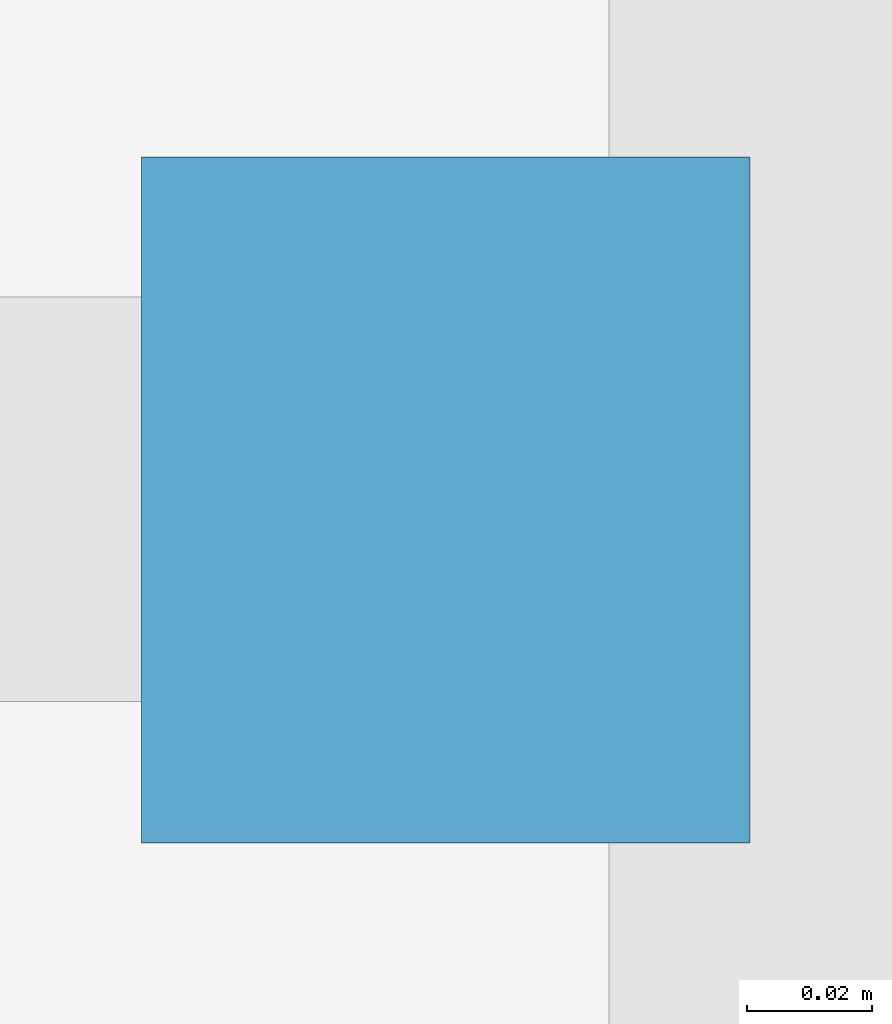
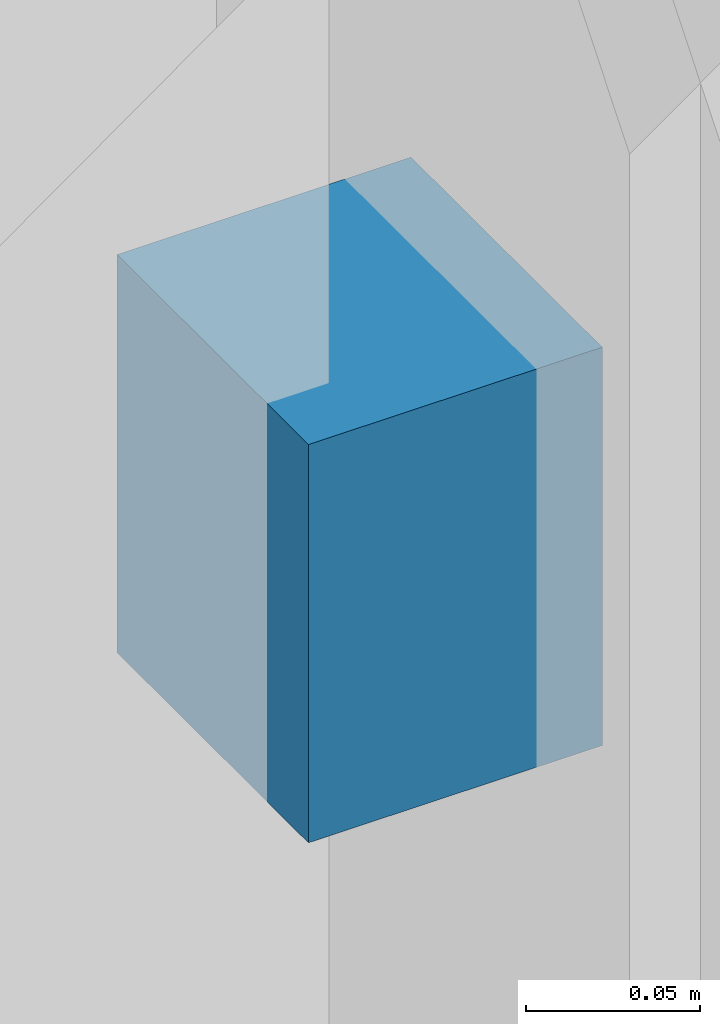
# One storey, part 11 of 21: 1 discrete accessory.
"""IFC4 building model written with IfcOpenShell, lengths in metres."""

import ifcopenshell
import ifcopenshell.guid

model = None  # the IFC model being written
_history = None  # IfcOwnerHistory: only IFC2X3 demands one
_inside = {}  # id of a spatial element -> (the spatial element, [elements in it])
_under = {}  # id of a project, library or spatial element -> (it, [spatial elements below it])
_declared = {}  # id of a project -> (the project, [libraries it declares])
_typed = {}  # id of a type object -> (the type object, [elements of that type])
_made_of = {}  # id of a material, layer set ... -> (it, [elements and type objects made of it])


def new_model(schema):
    """Start an empty IFC model of exactly this schema.

    Asked for "IFC4X3", IfcOpenShell would pick the latest addendum, in which some entities
    have other attributes; the version numbers below select the first issue.
    IFC2X3 requires an IfcOwnerHistory on every rooted entity: one is made here for all.
    """
    global model, _history
    if schema == "IFC4X3":
        model = ifcopenshell.file(schema_version=(4, 3, 0, 0))
    else:
        model = ifcopenshell.file(schema=schema)
    _inside.clear()
    _under.clear()
    _declared.clear()
    _typed.clear()
    _made_of.clear()
    _history = None
    if model.schema == "IFC2X3":
        org = make("IfcOrganization", Name="unknown")
        user = make(
            "IfcPersonAndOrganization",
            ThePerson=make("IfcPerson", FamilyName="unknown"),
            TheOrganization=org,
        )
        app = make(
            "IfcApplication",
            ApplicationDeveloper=org,
            Version="unknown",
            ApplicationFullName="unknown",
            ApplicationIdentifier="unknown",
        )
        _history = make(
            "IfcOwnerHistory",
            OwningUser=user,
            OwningApplication=app,
            ChangeAction="ADDED",
            CreationDate=0,
        )
    return model


def make(cls, **values):
    """One entity of the class cls with the attributes given. An attribute that is None is left unset."""
    return model.create_entity(
        cls, **{name: value for name, value in values.items() if value is not None}
    )


def rooted(cls, **values):
    """An entity with a GlobalId (a new one), such as an element, a storey or a relation."""
    return make(cls, GlobalId=ifcopenshell.guid.new(), OwnerHistory=_history, **values)


def si_unit(unit_type, name, prefix=None):
    """IfcSIUnit, for example si_unit("LENGTHUNIT", "METRE", prefix="MILLI")."""
    return make("IfcSIUnit", UnitType=unit_type, Prefix=prefix, Name=name)


def assignment(units):
    """IfcUnitAssignment: the units of a project."""
    return None if units is None else make("IfcUnitAssignment", Units=units)


def point(xyz):
    """IfcCartesianPoint."""
    return None if xyz is None else make("IfcCartesianPoint", Coordinates=xyz)


def direction(xyz):
    """IfcDirection."""
    return None if xyz is None else make("IfcDirection", DirectionRatios=xyz)


def frame(location, z_axis=None, x_axis=None):
    """IfcAxis2Placement3D, a coordinate frame: its origin and axes. An axis left out is left unset."""
    return make(
        "IfcAxis2Placement3D",
        Location=point(location),
        Axis=direction(z_axis),
        RefDirection=direction(x_axis),
    )


def origin():
    """The frame at (0, 0, 0) with its axes left unset."""
    return frame((0.0, 0.0, 0.0))


def place(relative_to, where):
    """IfcLocalPlacement: puts the frame where relative to a parent placement (None: the world)."""
    return make(
        "IfcLocalPlacement", PlacementRelTo=relative_to, RelativePlacement=where
    )


def context(
    kind, dimensions, precision=None, world=None, true_north=None, identifier=None
):
    """IfcGeometricRepresentationContext, for example the 3D "Model" context."""
    return make(
        "IfcGeometricRepresentationContext",
        ContextIdentifier=identifier,
        ContextType=kind,
        CoordinateSpaceDimension=dimensions,
        Precision=precision,
        WorldCoordinateSystem=world,
        TrueNorth=true_north,
    )


def subcontext(parent, identifier, kind, view, scale=None):
    """IfcGeometricRepresentationSubContext, for example "Body" below "Model"."""
    return make(
        "IfcGeometricRepresentationSubContext",
        ContextIdentifier=identifier,
        ContextType=kind,
        ParentContext=parent,
        TargetScale=scale,
        TargetView=view,
    )


def project(units=None, contexts=None):
    """IfcProject with its units and contexts."""
    return rooted(
        "IfcProject",
        Name="project",
        RepresentationContexts=contexts,
        UnitsInContext=assignment(units),
    )


def spatial(cls, under=None, at=None, **own):
    """A site, building, storey or space (cls), placed at a placement, below another one or the project."""
    s = rooted(cls, ObjectPlacement=at, **own)
    if under is not None:
        _under.setdefault(under.id(), (under, []))[1].append(s)
    return s


def polyline(points):
    """IfcPolyline through the points."""
    return make("IfcPolyline", Points=[point(p) for p in points])


def outline(outer, holes=None, kind="AREA"):
    """IfcArbitraryClosedProfileDef: a profile drawn as a closed curve; with holes, ...WithVoids."""
    if holes is None:
        return make("IfcArbitraryClosedProfileDef", ProfileType=kind, OuterCurve=outer)
    return make(
        "IfcArbitraryProfileDefWithVoids",
        ProfileType=kind,
        OuterCurve=outer,
        InnerCurves=holes,
    )


def extrude(swept, where, along, depth):
    """IfcExtrudedAreaSolid: the profile swept, set in the frame where, extruded along a direction by depth."""
    return make(
        "IfcExtrudedAreaSolid",
        SweptArea=swept,
        Position=where,
        ExtrudedDirection=direction(along),
        Depth=depth,
    )


def shape(context_of_items, identifier, shape_type, items):
    """IfcShapeRepresentation: the items that make up one representation, for example the "Body"."""
    return make(
        "IfcShapeRepresentation",
        ContextOfItems=context_of_items,
        RepresentationIdentifier=identifier,
        RepresentationType=shape_type,
        Items=items,
    )


def material(Name=None, Category=None):
    """IfcMaterial."""
    return make("IfcMaterial", Name=Name, Category=Category)


def made_of(thing, what):
    """Note that an element or type object is made of a material, layer set ...; save() writes the relation."""
    if what is not None:
        _made_of.setdefault(what.id(), (what, []))[1].append(thing)
    return thing


def type_object(cls, material=None, **own):
    """A type object (cls), such as IfcWallType, which elements share."""
    return made_of(rooted(cls, **own), material)


def element(
    cls,
    number,
    at=None,
    inside=None,
    cuts=None,
    type_object=None,
    material=None,
    context=None,
    identifier="Body",
    shape_type=None,
    held_by="IfcProductDefinitionShape",
    body=None,
    shapes=None,
    **own,
):
    """One element of the class cls, such as IfcWall. Its Tag is "e" and its number.

    at: its placement. inside: the storey or other place that contains it. cuts: it is an
    opening in that element (IfcRelVoidsElement). A single representation is given by context,
    identifier, shape_type and body (its items); several are given by shapes. held_by: the class
    of the entity that holds the representations. save() writes the other relations.
    """
    e = rooted(cls, Tag="e%d" % number, ObjectPlacement=at, **own)
    if body is not None:
        shapes = [shape(context, identifier, shape_type, body)]
    if shapes is not None:
        e.Representation = make(held_by, Representations=shapes)
    if inside is not None:
        _inside.setdefault(inside.id(), (inside, []))[1].append(e)
    if cuts is not None:
        rooted(
            "IfcRelVoidsElement", RelatingBuildingElement=cuts, RelatedOpeningElement=e
        )
    if type_object is not None:
        _typed.setdefault(type_object.id(), (type_object, []))[1].append(e)
    return made_of(e, material)


def aggregate(whole, parts):
    """IfcRelAggregates: a whole, such as a stair, and the parts it consists of."""
    return rooted("IfcRelAggregates", RelatingObject=whole, RelatedObjects=parts)


def save(model, path):
    """Write the relations noted so far, then the file.

    IfcRelAggregates (storeys below a building ...), IfcRelContainedInSpatialStructure (elements
    in a storey), IfcRelDefinesByType, IfcRelAssociatesMaterial and IfcRelDeclares: one each for
    every whole, place, type object, material and project.
    """
    for whole, parts in _under.values():
        aggregate(whole, parts)
    for where, things in _inside.values():
        rooted(
            "IfcRelContainedInSpatialStructure",
            RelatedElements=things,
            RelatingStructure=where,
        )
    for kind, things in _typed.values():
        rooted("IfcRelDefinesByType", RelatedObjects=things, RelatingType=kind)
    for what, things in _made_of.values():
        rooted("IfcRelAssociatesMaterial", RelatedObjects=things, RelatingMaterial=what)
    for by, libraries in _declared.values():
        rooted("IfcRelDeclares", RelatingContext=by, RelatedDefinitions=libraries)
    model.write(path)


model = new_model("IFC4")

# Units and contexts
model_context = context("Model", 3, precision=1e-05, world=origin(), true_north=direction((0.0, 1.0)))
body_context = subcontext(model_context, "Body", "Model", "MODEL_VIEW")
ifc_project = project(units=[si_unit("LENGTHUNIT", "METRE"), si_unit("AREAUNIT", "SQUARE_METRE"), si_unit("VOLUMEUNIT", "CUBIC_METRE"), si_unit("PLANEANGLEUNIT", "RADIAN"), si_unit("MASSUNIT", "GRAM", prefix="KILO")], contexts=[model_context])

# Site, building, storey
site_placement = place(None, origin())
site = spatial("IfcSite", under=ifc_project, at=site_placement, CompositionType="ELEMENT")
building_placement = place(site_placement, origin())
building = spatial("IfcBuilding", under=site, at=building_placement, Name="Qalmaran Belvedere Hotel", CompositionType="ELEMENT")
storey_placement = place(building_placement, frame((0.0, 0.0, 23.800048828125)))
storey = spatial("IfcBuildingStorey", under=building, at=storey_placement, Name="L05", CompositionType="ELEMENT", Elevation=23.800048828125)

# Discrete accessory
ifc_material = material(Name="Stainless Steel 1.4401", Category="steel")
discrete_accessory_type = type_object("IfcDiscreteAccessoryType", Name="BRK-FIN-SS316", PredefinedType="BRACKET", material=ifc_material)
discrete_accessory_placement = place(storey_placement, frame((0.0, 0.0, 2.050048828125)))
element("IfcDiscreteAccessory", 1, at=discrete_accessory_placement, inside=storey, type_object=discrete_accessory_type, Name="L05 Fin Bracket 3", PredefinedType="BRACKET", context=body_context, shape_type="SweptSolid", body=[
    extrude(outline(polyline([(8.705078125, 20.97900390625), (8.607421875, 20.97900390625), (8.607421875, 20.868896484375), (8.705078125, 20.868896484375), (8.705078125, 20.97900390625)])), origin(), (0.0, 0.0, 1.0), 0.139892578125),
])

save(model, "model.ifc")
